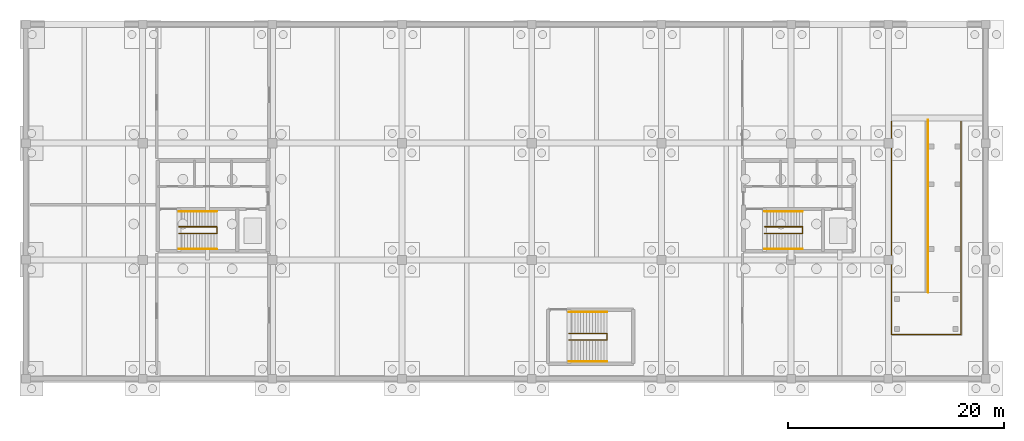
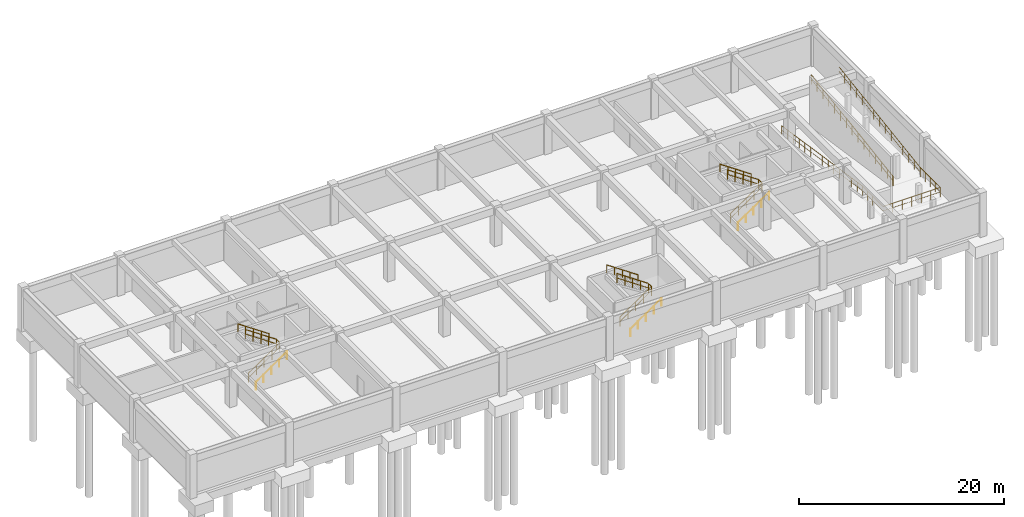
# One storey, part 7 of 8: 11 railings.
"""IFC4 building model written with IfcOpenShell, lengths in metres."""

from ifc_helpers import new_model, si_unit, derived_unit, direction, frame, origin, origin_2d, place, context, subcontext, project, spatial, circle, extrude, material, type_object, element, save


model = new_model("IFC4")

# Units and contexts
model_context = context("Model", 3, precision=1e-05, world=origin(), true_north=direction((0.0, 1.0)))
body_context = subcontext(model_context, "Body", "Model", "MODEL_VIEW")
ifc_project = project(units=[si_unit("LENGTHUNIT", "METRE"), si_unit("AREAUNIT", "SQUARE_METRE"), si_unit("VOLUMEUNIT", "CUBIC_METRE"), si_unit("PLANEANGLEUNIT", "RADIAN"), si_unit("MASSUNIT", "GRAM", prefix="KILO"), derived_unit("THERMALTRANSMITTANCEUNIT", [(si_unit("POWERUNIT", "WATT"), 1), (si_unit("LENGTHUNIT", "METRE"), -2), (si_unit("THERMODYNAMICTEMPERATUREUNIT", "KELVIN"), -1)])], contexts=[model_context])

# Site, building, storey
site_placement = place(None, origin())
site = spatial("IfcSite", under=ifc_project, at=site_placement, CompositionType="ELEMENT")
building_placement = place(site_placement, origin())
building = spatial("IfcBuilding", under=site, at=building_placement, Name="Almenara Railside Exhibition Hall", CompositionType="ELEMENT")
storey_placement = place(building_placement, frame((0.0, 0.0, -4.800048828125)))
storey = spatial("IfcBuildingStorey", under=building, at=storey_placement, Name="B1", CompositionType="ELEMENT", Elevation=-4.800048828125)

# Railings
ifc_material_1 = material(Name="Bronze-finished tubular steel handrail", Category="steel")
railing_type_1 = type_object("IfcRailingType", Name="Stair Pitch Handrail 920mm", PredefinedType="HANDRAIL", material=ifc_material_1)
railing_1_placement = place(storey_placement, frame((129.35009765625, 12.0, 0.0)))
element("IfcRailing", 1, at=railing_1_placement, inside=storey, type_object=railing_type_1, Name="HR-B1-0029", PredefinedType="HANDRAIL", context=body_context, shape_type="SweptSolid", body=[
    extrude(circle(Radius=0.02392578125, at=origin_2d()), frame((0.0, 0.0, 0.89599609375), z_axis=(0.825464959624, 0.0, 0.564453364267), x_axis=(0.0, 1.0, 0.0)), (0.0, 0.0, 1.0), 4.252197265625),
    extrude(circle(Radius=0.02099609375, at=origin_2d()), origin(), (0.0, 0.0, 1.0), 0.871826171875),
    extrude(circle(Radius=0.02099609375, at=origin_2d()), frame((0.87744140625, 0.0, 0.60009765625)), (0.0, 0.0, 1.0), 0.871826171875),
    extrude(circle(Radius=0.02099609375, at=origin_2d()), frame((1.7548828125, 0.0, 1.2001953125)), (0.0, 0.0, 1.0), 0.871826171875),
    extrude(circle(Radius=0.02099609375, at=origin_2d()), frame((2.632568359375, 0.0, 1.800048828125)), (0.0, 0.0, 1.0), 0.871826171875),
    extrude(circle(Radius=0.02099609375, at=origin_2d()), frame((3.510009765625, 0.0, 2.400146484375)), (0.0, 0.0, 1.0), 0.871826171875),
])
railing_2_placement = place(storey_placement, frame((132.860107421875, 15.5, 2.400146484375)))
element("IfcRailing", 2, at=railing_2_placement, inside=storey, type_object=railing_type_1, Name="HR-B1-0030", PredefinedType="HANDRAIL", context=body_context, shape_type="SweptSolid", body=[
    extrude(circle(Radius=0.02392578125, at=origin_2d()), frame((0.0, 0.0, 0.89599609375), z_axis=(-0.825491711615, 0.0, 0.56441423977), x_axis=(0.0, -1.0, 0.0)), (0.0, 0.0, 1.0), 4.251953125),
    extrude(circle(Radius=0.02099609375, at=origin_2d()), origin(), (0.0, 0.0, 1.0), 0.871826171875),
    extrude(circle(Radius=0.02099609375, at=origin_2d()), frame((-0.87744140625, 0.0, 0.60009765625)), (0.0, 0.0, 1.0), 0.871826171875),
    extrude(circle(Radius=0.02099609375, at=origin_2d()), frame((-1.7548828125, 0.0, 1.199951171875)), (0.0, 0.0, 1.0), 0.871826171875),
    extrude(circle(Radius=0.02099609375, at=origin_2d()), frame((-2.632568359375, 0.0, 1.7998046875)), (0.0, 0.0, 1.0), 0.871826171875),
    extrude(circle(Radius=0.02099609375, at=origin_2d()), frame((-3.510009765625, 0.0, 2.39990234375)), (0.0, 0.0, 1.0), 0.871826171875),
])
railing_3_placement = place(storey_placement, frame((183.550048828125, 12.0, 0.0)))
element("IfcRailing", 3, at=railing_3_placement, inside=storey, type_object=railing_type_1, Name="HR-B1-0045", PredefinedType="HANDRAIL", context=body_context, shape_type="SweptSolid", body=[
    extrude(circle(Radius=0.02392578125, at=origin_2d()), frame((0.0, 0.0, 0.89599609375), z_axis=(0.825464959624, 0.0, 0.564453364267), x_axis=(0.0, 1.0, 0.0)), (0.0, 0.0, 1.0), 4.252197265625),
    extrude(circle(Radius=0.02099609375, at=origin_2d()), origin(), (0.0, 0.0, 1.0), 0.871826171875),
    extrude(circle(Radius=0.02099609375, at=origin_2d()), frame((0.87744140625, 0.0, 0.60009765625)), (0.0, 0.0, 1.0), 0.871826171875),
    extrude(circle(Radius=0.02099609375, at=origin_2d()), frame((1.7548828125, 0.0, 1.2001953125)), (0.0, 0.0, 1.0), 0.871826171875),
    extrude(circle(Radius=0.02099609375, at=origin_2d()), frame((2.632568359375, 0.0, 1.800048828125)), (0.0, 0.0, 1.0), 0.871826171875),
    extrude(circle(Radius=0.02099609375, at=origin_2d()), frame((3.510009765625, 0.0, 2.400146484375)), (0.0, 0.0, 1.0), 0.871826171875),
])
railing_4_placement = place(storey_placement, frame((187.06005859375, 15.5, 2.400146484375)))
element("IfcRailing", 4, at=railing_4_placement, inside=storey, type_object=railing_type_1, Name="HR-B1-0046", PredefinedType="HANDRAIL", context=body_context, shape_type="SweptSolid", body=[
    extrude(circle(Radius=0.02392578125, at=origin_2d()), frame((0.0, 0.0, 0.89599609375), z_axis=(-0.825491711615, 0.0, 0.56441423977), x_axis=(0.0, -1.0, 0.0)), (0.0, 0.0, 1.0), 4.251953125),
    extrude(circle(Radius=0.02099609375, at=origin_2d()), origin(), (0.0, 0.0, 1.0), 0.871826171875),
    extrude(circle(Radius=0.02099609375, at=origin_2d()), frame((-0.87744140625, 0.0, 0.60009765625)), (0.0, 0.0, 1.0), 0.871826171875),
    extrude(circle(Radius=0.02099609375, at=origin_2d()), frame((-1.7548828125, 0.0, 1.199951171875)), (0.0, 0.0, 1.0), 0.871826171875),
    extrude(circle(Radius=0.02099609375, at=origin_2d()), frame((-2.632568359375, 0.0, 1.7998046875)), (0.0, 0.0, 1.0), 0.871826171875),
    extrude(circle(Radius=0.02099609375, at=origin_2d()), frame((-3.510009765625, 0.0, 2.39990234375)), (0.0, 0.0, 1.0), 0.871826171875),
])
railing_5_placement = place(storey_placement, frame((165.449951171875, 1.60009765625, 0.0)))
element("IfcRailing", 5, at=railing_5_placement, inside=storey, type_object=railing_type_1, Name="HR-B1-0109", PredefinedType="HANDRAIL", context=body_context, shape_type="SweptSolid", body=[
    extrude(circle(Radius=0.02392578125, at=origin_2d()), frame((0.0, 0.0, 0.89599609375), z_axis=(0.825464959624, 0.0, 0.564453364267), x_axis=(0.0, 1.0, 0.0)), (0.0, 0.0, 1.0), 4.252197265625),
    extrude(circle(Radius=0.02099609375, at=origin_2d()), origin(), (0.0, 0.0, 1.0), 0.871826171875),
    extrude(circle(Radius=0.02099609375, at=origin_2d()), frame((0.87744140625, 0.0, 0.60009765625)), (0.0, 0.0, 1.0), 0.871826171875),
    extrude(circle(Radius=0.02099609375, at=origin_2d()), frame((1.7548828125, 0.0, 1.2001953125)), (0.0, 0.0, 1.0), 0.871826171875),
    extrude(circle(Radius=0.02099609375, at=origin_2d()), frame((2.632568359375, 0.0, 1.800048828125)), (0.0, 0.0, 1.0), 0.871826171875),
    extrude(circle(Radius=0.02099609375, at=origin_2d()), frame((3.510009765625, 0.0, 2.400146484375)), (0.0, 0.0, 1.0), 0.871826171875),
])
railing_6_placement = place(storey_placement, frame((168.9599609375, 6.199951171875, 2.400146484375)))
element("IfcRailing", 6, at=railing_6_placement, inside=storey, type_object=railing_type_1, Name="HR-B1-0110", PredefinedType="HANDRAIL", context=body_context, shape_type="SweptSolid", body=[
    extrude(circle(Radius=0.02392578125, at=origin_2d()), frame((0.0, 0.0, 0.89599609375), z_axis=(-0.825491711615, 0.0, 0.56441423977), x_axis=(0.0, -1.0, 0.0)), (0.0, 0.0, 1.0), 4.251953125),
    extrude(circle(Radius=0.02099609375, at=origin_2d()), origin(), (0.0, 0.0, 1.0), 0.871826171875),
    extrude(circle(Radius=0.02099609375, at=origin_2d()), frame((-0.87744140625, 0.0, 0.60009765625)), (0.0, 0.0, 1.0), 0.871826171875),
    extrude(circle(Radius=0.02099609375, at=origin_2d()), frame((-1.7548828125, 0.0, 1.199951171875)), (0.0, 0.0, 1.0), 0.871826171875),
    extrude(circle(Radius=0.02099609375, at=origin_2d()), frame((-2.632568359375, 0.0, 1.7998046875)), (0.0, 0.0, 1.0), 0.871826171875),
    extrude(circle(Radius=0.02099609375, at=origin_2d()), frame((-3.510009765625, 0.0, 2.39990234375)), (0.0, 0.0, 1.0), 0.871826171875),
])
ifc_material_2 = material(Name="Dark wrought-iron stair balustrade")
railing_type_2 = type_object("IfcRailingType", Name="Stair Well Guard Rail 1120mm", PredefinedType="BALUSTRADE", material=ifc_material_2)
railing_7_placement = place(storey_placement, frame((129.35009765625, 13.429931640625, 0.0)))
element("IfcRailing", 7, at=railing_7_placement, inside=storey, type_object=railing_type_2, Name="SG-B1-0031", PredefinedType="BALUSTRADE", context=body_context, shape_type="SweptSolid", body=[
    extrude(circle(Radius=0.02392578125, at=origin_2d()), frame((0.0, 0.0, 1.09619140625), z_axis=(0.825464959624, 0.0, 0.564453364267), x_axis=(0.0, 1.0, 0.0)), (0.0, 0.0, 1.0), 4.252197265625),
    extrude(circle(Radius=0.01416015625, at=origin_2d()), frame((0.0, 0.0, 0.56005859375), z_axis=(0.825464959624, 0.0, 0.564453364267), x_axis=(0.0, 1.0, 0.0)), (0.0, 0.0, 1.0), 4.252197265625),
    extrude(circle(Radius=0.02392578125, at=origin_2d()), frame((3.510009765625, 0.0, 3.49609375), z_axis=(0.0, 1.0, 0.0), x_axis=(-1.0, 0.0, 0.0)), (0.0, 0.0, 1.0), 0.64013671875),
    extrude(circle(Radius=0.01416015625, at=origin_2d()), frame((3.510009765625, 0.0, 2.960205078125), z_axis=(0.0, 1.0, 0.0), x_axis=(-1.0, 0.0, 0.0)), (0.0, 0.0, 1.0), 0.64013671875),
    extrude(circle(Radius=0.02392578125, at=origin_2d()), frame((3.510009765625, 0.64013671875, 3.49609375), z_axis=(-0.825491711615, 0.0, 0.56441423977), x_axis=(0.0, -1.0, 0.0)), (0.0, 0.0, 1.0), 4.251953125),
    extrude(circle(Radius=0.01416015625, at=origin_2d()), frame((3.510009765625, 0.64013671875, 2.960205078125), z_axis=(-0.825491711615, 0.0, 0.56441423977), x_axis=(0.0, -1.0, 0.0)), (0.0, 0.0, 1.0), 4.251953125),
    extrude(circle(Radius=0.02099609375, at=origin_2d()), origin(), (0.0, 0.0, 1.0), 1.072021484375),
    extrude(circle(Radius=0.02099609375, at=origin_2d()), frame((0.87744140625, 0.0, 0.60009765625)), (0.0, 0.0, 1.0), 1.072021484375),
    extrude(circle(Radius=0.02099609375, at=origin_2d()), frame((1.7548828125, 0.0, 1.2001953125)), (0.0, 0.0, 1.0), 1.072021484375),
    extrude(circle(Radius=0.02099609375, at=origin_2d()), frame((2.632568359375, 0.0, 1.800048828125)), (0.0, 0.0, 1.0), 1.072021484375),
    extrude(circle(Radius=0.02099609375, at=origin_2d()), frame((3.510009765625, 0.0, 2.400146484375)), (0.0, 0.0, 1.0), 1.072021484375),
    extrude(circle(Radius=0.02099609375, at=origin_2d()), frame((3.510009765625, 0.64013671875, 2.400146484375)), (0.0, 0.0, 1.0), 1.072021484375),
    extrude(circle(Radius=0.02099609375, at=origin_2d()), frame((2.632568359375, 0.64013671875, 3.0)), (0.0, 0.0, 1.0), 1.072021484375),
    extrude(circle(Radius=0.02099609375, at=origin_2d()), frame((1.7548828125, 0.64013671875, 3.60009765625)), (0.0, 0.0, 1.0), 1.072021484375),
    extrude(circle(Radius=0.02099609375, at=origin_2d()), frame((0.87744140625, 0.64013671875, 4.2001953125)), (0.0, 0.0, 1.0), 1.072021484375),
    extrude(circle(Radius=0.02099609375, at=origin_2d()), frame((0.0, 0.64013671875, 4.800048828125)), (0.0, 0.0, 1.0), 1.072021484375),
])
railing_8_placement = place(storey_placement, frame((183.550048828125, 13.429931640625, 0.0)))
element("IfcRailing", 8, at=railing_8_placement, inside=storey, type_object=railing_type_2, Name="SG-B1-0047", PredefinedType="BALUSTRADE", context=body_context, shape_type="SweptSolid", body=[
    extrude(circle(Radius=0.02392578125, at=origin_2d()), frame((0.0, 0.0, 1.09619140625), z_axis=(0.825464959624, 0.0, 0.564453364267), x_axis=(0.0, 1.0, 0.0)), (0.0, 0.0, 1.0), 4.252197265625),
    extrude(circle(Radius=0.01416015625, at=origin_2d()), frame((0.0, 0.0, 0.56005859375), z_axis=(0.825464959624, 0.0, 0.564453364267), x_axis=(0.0, 1.0, 0.0)), (0.0, 0.0, 1.0), 4.252197265625),
    extrude(circle(Radius=0.02392578125, at=origin_2d()), frame((3.510009765625, 0.0, 3.49609375), z_axis=(0.0, 1.0, 0.0), x_axis=(-1.0, 0.0, 0.0)), (0.0, 0.0, 1.0), 0.64013671875),
    extrude(circle(Radius=0.01416015625, at=origin_2d()), frame((3.510009765625, 0.0, 2.960205078125), z_axis=(0.0, 1.0, 0.0), x_axis=(-1.0, 0.0, 0.0)), (0.0, 0.0, 1.0), 0.64013671875),
    extrude(circle(Radius=0.02392578125, at=origin_2d()), frame((3.510009765625, 0.64013671875, 3.49609375), z_axis=(-0.825491711615, 0.0, 0.56441423977), x_axis=(0.0, -1.0, 0.0)), (0.0, 0.0, 1.0), 4.251953125),
    extrude(circle(Radius=0.01416015625, at=origin_2d()), frame((3.510009765625, 0.64013671875, 2.960205078125), z_axis=(-0.825491711615, 0.0, 0.56441423977), x_axis=(0.0, -1.0, 0.0)), (0.0, 0.0, 1.0), 4.251953125),
    extrude(circle(Radius=0.02099609375, at=origin_2d()), origin(), (0.0, 0.0, 1.0), 1.072021484375),
    extrude(circle(Radius=0.02099609375, at=origin_2d()), frame((0.87744140625, 0.0, 0.60009765625)), (0.0, 0.0, 1.0), 1.072021484375),
    extrude(circle(Radius=0.02099609375, at=origin_2d()), frame((1.7548828125, 0.0, 1.2001953125)), (0.0, 0.0, 1.0), 1.072021484375),
    extrude(circle(Radius=0.02099609375, at=origin_2d()), frame((2.632568359375, 0.0, 1.800048828125)), (0.0, 0.0, 1.0), 1.072021484375),
    extrude(circle(Radius=0.02099609375, at=origin_2d()), frame((3.510009765625, 0.0, 2.400146484375)), (0.0, 0.0, 1.0), 1.072021484375),
    extrude(circle(Radius=0.02099609375, at=origin_2d()), frame((3.510009765625, 0.64013671875, 2.400146484375)), (0.0, 0.0, 1.0), 1.072021484375),
    extrude(circle(Radius=0.02099609375, at=origin_2d()), frame((2.632568359375, 0.64013671875, 3.0)), (0.0, 0.0, 1.0), 1.072021484375),
    extrude(circle(Radius=0.02099609375, at=origin_2d()), frame((1.7548828125, 0.64013671875, 3.60009765625)), (0.0, 0.0, 1.0), 1.072021484375),
    extrude(circle(Radius=0.02099609375, at=origin_2d()), frame((0.87744140625, 0.64013671875, 4.2001953125)), (0.0, 0.0, 1.0), 1.072021484375),
    extrude(circle(Radius=0.02099609375, at=origin_2d()), frame((0.0, 0.64013671875, 4.800048828125)), (0.0, 0.0, 1.0), 1.072021484375),
])
railing_9_placement = place(storey_placement, frame((165.449951171875, 3.610107421875, 0.0)))
element("IfcRailing", 9, at=railing_9_placement, inside=storey, type_object=railing_type_2, Name="SG-B1-0111", PredefinedType="BALUSTRADE", context=body_context, shape_type="SweptSolid", body=[
    extrude(circle(Radius=0.02392578125, at=origin_2d()), frame((0.0, 0.0, 1.09619140625), z_axis=(0.825464959624, 0.0, 0.564453364267), x_axis=(0.0, 1.0, 0.0)), (0.0, 0.0, 1.0), 4.252197265625),
    extrude(circle(Radius=0.01416015625, at=origin_2d()), frame((0.0, 0.0, 0.56005859375), z_axis=(0.825464959624, 0.0, 0.564453364267), x_axis=(0.0, 1.0, 0.0)), (0.0, 0.0, 1.0), 4.252197265625),
    extrude(circle(Radius=0.02392578125, at=origin_2d()), frame((3.510009765625, 0.0, 3.49609375), z_axis=(0.0, 1.0, 0.0), x_axis=(-1.0, 0.0, 0.0)), (0.0, 0.0, 1.0), 0.579833984375),
    extrude(circle(Radius=0.01416015625, at=origin_2d()), frame((3.510009765625, 0.0, 2.960205078125), z_axis=(0.0, 1.0, 0.0), x_axis=(-1.0, 0.0, 0.0)), (0.0, 0.0, 1.0), 0.579833984375),
    extrude(circle(Radius=0.02392578125, at=origin_2d()), frame((3.510009765625, 0.579833984375, 3.49609375), z_axis=(-0.825491711615, 0.0, 0.56441423977), x_axis=(0.0, -1.0, 0.0)), (0.0, 0.0, 1.0), 4.251953125),
    extrude(circle(Radius=0.01416015625, at=origin_2d()), frame((3.510009765625, 0.579833984375, 2.960205078125), z_axis=(-0.825491711615, 0.0, 0.56441423977), x_axis=(0.0, -1.0, 0.0)), (0.0, 0.0, 1.0), 4.251953125),
    extrude(circle(Radius=0.02099609375, at=origin_2d()), origin(), (0.0, 0.0, 1.0), 1.072021484375),
    extrude(circle(Radius=0.02099609375, at=origin_2d()), frame((0.87744140625, 0.0, 0.60009765625)), (0.0, 0.0, 1.0), 1.072021484375),
    extrude(circle(Radius=0.02099609375, at=origin_2d()), frame((1.7548828125, 0.0, 1.2001953125)), (0.0, 0.0, 1.0), 1.072021484375),
    extrude(circle(Radius=0.02099609375, at=origin_2d()), frame((2.632568359375, 0.0, 1.800048828125)), (0.0, 0.0, 1.0), 1.072021484375),
    extrude(circle(Radius=0.02099609375, at=origin_2d()), frame((3.510009765625, 0.0, 2.400146484375)), (0.0, 0.0, 1.0), 1.072021484375),
    extrude(circle(Radius=0.02099609375, at=origin_2d()), frame((3.510009765625, 0.579833984375, 2.400146484375)), (0.0, 0.0, 1.0), 1.072021484375),
    extrude(circle(Radius=0.02099609375, at=origin_2d()), frame((2.632568359375, 0.579833984375, 3.0)), (0.0, 0.0, 1.0), 1.072021484375),
    extrude(circle(Radius=0.02099609375, at=origin_2d()), frame((1.7548828125, 0.579833984375, 3.60009765625)), (0.0, 0.0, 1.0), 1.072021484375),
    extrude(circle(Radius=0.02099609375, at=origin_2d()), frame((0.87744140625, 0.579833984375, 4.2001953125)), (0.0, 0.0, 1.0), 1.072021484375),
    extrude(circle(Radius=0.02099609375, at=origin_2d()), frame((0.0, 0.579833984375, 4.800048828125)), (0.0, 0.0, 1.0), 1.072021484375),
])
ifc_material_3 = material(Name="Dark wrought-iron architectural balustrade")
railing_type_3 = type_object("IfcRailingType", Name="Wrought-Iron Rejas Terrace Balustrade 1120mm", PredefinedType="BALUSTRADE", material=ifc_material_3)
railing_10_placement = place(storey_placement, frame((195.280029296875, 23.800048828125, 0.030029296875)))
element("IfcRailing", 10, at=railing_10_placement, inside=storey, type_object=railing_type_3, Name="Guard balustrade 0013", PredefinedType="BALUSTRADE", context=body_context, shape_type="SweptSolid", body=[
    extrude(circle(Radius=0.02392578125, at=origin_2d()), frame((0.0, 0.0, 1.09619140625), z_axis=(0.0, -0.98893534408, 0.148347178026), x_axis=(1.0, 0.0, 0.0)), (0.0, 0.0, 1.0), 15.976806640625),
    extrude(circle(Radius=0.01416015625, at=origin_2d()), frame((0.0, 0.0, 0.56005859375), z_axis=(0.0, -0.98893534408, 0.148347178026), x_axis=(1.0, 0.0, 0.0)), (0.0, 0.0, 1.0), 15.976806640625),
    extrude(circle(Radius=0.02392578125, at=origin_2d()), frame((0.0, -15.800048828125, 3.46630859375), z_axis=(0.0, -1.0, 0.0), x_axis=(1.0, 0.0, 0.0)), (0.0, 0.0, 1.0), 3.919921875),
    extrude(circle(Radius=0.01416015625, at=origin_2d()), frame((0.0, -15.800048828125, 2.93017578125), z_axis=(0.0, -1.0, 0.0), x_axis=(1.0, 0.0, 0.0)), (0.0, 0.0, 1.0), 3.919921875),
    extrude(circle(Radius=0.02392578125, at=origin_2d()), frame((0.0, -19.719970703125, 3.46630859375), z_axis=(1.0, 0.0, 0.0), x_axis=(0.0, 1.0, 0.0)), (0.0, 0.0, 1.0), 6.43994140625),
    extrude(circle(Radius=0.01416015625, at=origin_2d()), frame((0.0, -19.719970703125, 2.93017578125), z_axis=(1.0, 0.0, 0.0), x_axis=(0.0, 1.0, 0.0)), (0.0, 0.0, 1.0), 6.43994140625),
    extrude(circle(Radius=0.02392578125, at=origin_2d()), frame((6.43994140625, -19.719970703125, 3.46630859375), z_axis=(0.0, 1.0, 0.0), x_axis=(-1.0, 0.0, 0.0)), (0.0, 0.0, 1.0), 3.919921875),
    extrude(circle(Radius=0.01416015625, at=origin_2d()), frame((6.43994140625, -19.719970703125, 2.93017578125), z_axis=(0.0, 1.0, 0.0), x_axis=(-1.0, 0.0, 0.0)), (0.0, 0.0, 1.0), 3.919921875),
    extrude(circle(Radius=0.02392578125, at=origin_2d()), frame((6.43994140625, -15.800048828125, 3.46630859375), z_axis=(0.0, 0.988937585772, 0.14833223334), x_axis=(-1.0, 0.0, 0.0)), (0.0, 0.0, 1.0), 15.976806640625),
    extrude(circle(Radius=0.01416015625, at=origin_2d()), frame((6.43994140625, -15.800048828125, 2.93017578125), z_axis=(0.0, 0.988937585772, 0.14833223334), x_axis=(-1.0, 0.0, 0.0)), (0.0, 0.0, 1.0), 15.976806640625),
    extrude(circle(Radius=0.02099609375, at=origin_2d()), origin(), (0.0, 0.0, 1.0), 1.072021484375),
    extrude(circle(Radius=0.02099609375, at=origin_2d()), frame((0.0, -1.128662109375, 0.169189453125)), (0.0, 0.0, 1.0), 1.072021484375),
    extrude(circle(Radius=0.02099609375, at=origin_2d()), frame((0.0, -2.257080078125, 0.338623046875)), (0.0, 0.0, 1.0), 1.072021484375),
    extrude(circle(Radius=0.02099609375, at=origin_2d()), frame((0.0, -3.3857421875, 0.5078125)), (0.0, 0.0, 1.0), 1.072021484375),
    extrude(circle(Radius=0.02099609375, at=origin_2d()), frame((0.0, -4.514404296875, 0.67724609375)), (0.0, 0.0, 1.0), 1.072021484375),
    extrude(circle(Radius=0.02099609375, at=origin_2d()), frame((0.0, -5.642822265625, 0.846435546875)), (0.0, 0.0, 1.0), 1.072021484375),
    extrude(circle(Radius=0.02099609375, at=origin_2d()), frame((0.0, -6.771484375, 1.015869140625)), (0.0, 0.0, 1.0), 1.072021484375),
    extrude(circle(Radius=0.02099609375, at=origin_2d()), frame((0.0, -7.89990234375, 1.18505859375)), (0.0, 0.0, 1.0), 1.072021484375),
    extrude(circle(Radius=0.02099609375, at=origin_2d()), frame((0.0, -9.028564453125, 1.354248046875)), (0.0, 0.0, 1.0), 1.072021484375),
    extrude(circle(Radius=0.02099609375, at=origin_2d()), frame((0.0, -10.1572265625, 1.523681640625)), (0.0, 0.0, 1.0), 1.072021484375),
    extrude(circle(Radius=0.02099609375, at=origin_2d()), frame((0.0, -11.28564453125, 1.69287109375)), (0.0, 0.0, 1.0), 1.072021484375),
    extrude(circle(Radius=0.02099609375, at=origin_2d()), frame((0.0, -12.414306640625, 1.8623046875)), (0.0, 0.0, 1.0), 1.072021484375),
    extrude(circle(Radius=0.02099609375, at=origin_2d()), frame((0.0, -13.54296875, 2.031494140625)), (0.0, 0.0, 1.0), 1.072021484375),
    extrude(circle(Radius=0.02099609375, at=origin_2d()), frame((0.0, -14.67138671875, 2.200927734375)), (0.0, 0.0, 1.0), 1.072021484375),
    extrude(circle(Radius=0.02099609375, at=origin_2d()), frame((0.0, -15.800048828125, 2.3701171875)), (0.0, 0.0, 1.0), 1.072021484375),
    extrude(circle(Radius=0.02099609375, at=origin_2d()), frame((0.0, -16.780029296875, 2.3701171875)), (0.0, 0.0, 1.0), 1.072021484375),
    extrude(circle(Radius=0.02099609375, at=origin_2d()), frame((0.0, -17.760009765625, 2.3701171875)), (0.0, 0.0, 1.0), 1.072021484375),
    extrude(circle(Radius=0.02099609375, at=origin_2d()), frame((0.0, -18.739990234375, 2.3701171875)), (0.0, 0.0, 1.0), 1.072021484375),
    extrude(circle(Radius=0.02099609375, at=origin_2d()), frame((0.0, -19.719970703125, 2.3701171875)), (0.0, 0.0, 1.0), 1.072021484375),
    extrude(circle(Radius=0.02099609375, at=origin_2d()), frame((1.0732421875, -19.719970703125, 2.3701171875)), (0.0, 0.0, 1.0), 1.072021484375),
    extrude(circle(Radius=0.02099609375, at=origin_2d()), frame((2.146728515625, -19.719970703125, 2.3701171875)), (0.0, 0.0, 1.0), 1.072021484375),
    extrude(circle(Radius=0.02099609375, at=origin_2d()), frame((3.219970703125, -19.719970703125, 2.3701171875)), (0.0, 0.0, 1.0), 1.072021484375),
    extrude(circle(Radius=0.02099609375, at=origin_2d()), frame((4.293212890625, -19.719970703125, 2.3701171875)), (0.0, 0.0, 1.0), 1.072021484375),
    extrude(circle(Radius=0.02099609375, at=origin_2d()), frame((5.36669921875, -19.719970703125, 2.3701171875)), (0.0, 0.0, 1.0), 1.072021484375),
    extrude(circle(Radius=0.02099609375, at=origin_2d()), frame((6.43994140625, -19.719970703125, 2.3701171875)), (0.0, 0.0, 1.0), 1.072021484375),
    extrude(circle(Radius=0.02099609375, at=origin_2d()), frame((6.43994140625, -18.739990234375, 2.3701171875)), (0.0, 0.0, 1.0), 1.072021484375),
    extrude(circle(Radius=0.02099609375, at=origin_2d()), frame((6.43994140625, -17.760009765625, 2.3701171875)), (0.0, 0.0, 1.0), 1.072021484375),
    extrude(circle(Radius=0.02099609375, at=origin_2d()), frame((6.43994140625, -16.780029296875, 2.3701171875)), (0.0, 0.0, 1.0), 1.072021484375),
    extrude(circle(Radius=0.02099609375, at=origin_2d()), frame((6.43994140625, -15.800048828125, 2.3701171875)), (0.0, 0.0, 1.0), 1.072021484375),
    extrude(circle(Radius=0.02099609375, at=origin_2d()), frame((6.43994140625, -14.67138671875, 2.539306640625)), (0.0, 0.0, 1.0), 1.072021484375),
    extrude(circle(Radius=0.02099609375, at=origin_2d()), frame((6.43994140625, -13.54296875, 2.708740234375)), (0.0, 0.0, 1.0), 1.072021484375),
    extrude(circle(Radius=0.02099609375, at=origin_2d()), frame((6.43994140625, -12.414306640625, 2.8779296875)), (0.0, 0.0, 1.0), 1.072021484375),
    extrude(circle(Radius=0.02099609375, at=origin_2d()), frame((6.43994140625, -11.28564453125, 3.047119140625)), (0.0, 0.0, 1.0), 1.072021484375),
    extrude(circle(Radius=0.02099609375, at=origin_2d()), frame((6.43994140625, -10.1572265625, 3.216552734375)), (0.0, 0.0, 1.0), 1.072021484375),
    extrude(circle(Radius=0.02099609375, at=origin_2d()), frame((6.43994140625, -9.028564453125, 3.3857421875)), (0.0, 0.0, 1.0), 1.072021484375),
    extrude(circle(Radius=0.02099609375, at=origin_2d()), frame((6.43994140625, -7.89990234375, 3.55517578125)), (0.0, 0.0, 1.0), 1.072021484375),
    extrude(circle(Radius=0.02099609375, at=origin_2d()), frame((6.43994140625, -6.771484375, 3.724365234375)), (0.0, 0.0, 1.0), 1.072021484375),
    extrude(circle(Radius=0.02099609375, at=origin_2d()), frame((6.43994140625, -5.642822265625, 3.8935546875)), (0.0, 0.0, 1.0), 1.072021484375),
    extrude(circle(Radius=0.02099609375, at=origin_2d()), frame((6.43994140625, -4.514404296875, 4.06298828125)), (0.0, 0.0, 1.0), 1.072021484375),
    extrude(circle(Radius=0.02099609375, at=origin_2d()), frame((6.43994140625, -3.3857421875, 4.232177734375)), (0.0, 0.0, 1.0), 1.072021484375),
    extrude(circle(Radius=0.02099609375, at=origin_2d()), frame((6.43994140625, -2.257080078125, 4.4013671875)), (0.0, 0.0, 1.0), 1.072021484375),
    extrude(circle(Radius=0.02099609375, at=origin_2d()), frame((6.43994140625, -1.128662109375, 4.57080078125)), (0.0, 0.0, 1.0), 1.072021484375),
    extrude(circle(Radius=0.02099609375, at=origin_2d()), frame((6.43994140625, 0.0, 4.739990234375)), (0.0, 0.0, 1.0), 1.072021484375),
])
railing_11_placement = place(storey_placement, frame((198.679931640625, 8.0, 2.400146484375)))
element("IfcRailing", 11, at=railing_11_placement, inside=storey, type_object=railing_type_3, Name="Guard balustrade 0014", PredefinedType="BALUSTRADE", context=body_context, shape_type="SweptSolid", body=[
    extrude(circle(Radius=0.02392578125, at=origin_2d()), frame((0.0, 0.0, 1.09619140625), z_axis=(0.0, 0.988959990617, 0.148182782265), x_axis=(-1.0, 0.0, 0.0)), (0.0, 0.0, 1.0), 16.1279296875),
    extrude(circle(Radius=0.01416015625, at=origin_2d()), frame((0.0, 0.0, 0.56005859375), z_axis=(0.0, 0.988959990617, 0.148182782265), x_axis=(-1.0, 0.0, 0.0)), (0.0, 0.0, 1.0), 16.1279296875),
    extrude(circle(Radius=0.02099609375, at=origin_2d()), origin(), (0.0, 0.0, 1.0), 1.072021484375),
    extrude(circle(Radius=0.02099609375, at=origin_2d()), frame((0.0, 1.13916015625, 0.170654296875)), (0.0, 0.0, 1.0), 1.072021484375),
    extrude(circle(Radius=0.02099609375, at=origin_2d()), frame((0.0, 2.278564453125, 0.34130859375)), (0.0, 0.0, 1.0), 1.072021484375),
    extrude(circle(Radius=0.02099609375, at=origin_2d()), frame((0.0, 3.41796875, 0.51220703125)), (0.0, 0.0, 1.0), 1.072021484375),
    extrude(circle(Radius=0.02099609375, at=origin_2d()), frame((0.0, 4.55712890625, 0.682861328125)), (0.0, 0.0, 1.0), 1.072021484375),
    extrude(circle(Radius=0.02099609375, at=origin_2d()), frame((0.0, 5.6962890625, 0.853515625)), (0.0, 0.0, 1.0), 1.072021484375),
    extrude(circle(Radius=0.02099609375, at=origin_2d()), frame((0.0, 6.835693359375, 1.024169921875)), (0.0, 0.0, 1.0), 1.072021484375),
    extrude(circle(Radius=0.02099609375, at=origin_2d()), frame((0.0, 7.97509765625, 1.19482421875)), (0.0, 0.0, 1.0), 1.072021484375),
    extrude(circle(Radius=0.02099609375, at=origin_2d()), frame((0.0, 9.1142578125, 1.36572265625)), (0.0, 0.0, 1.0), 1.072021484375),
    extrude(circle(Radius=0.02099609375, at=origin_2d()), frame((0.0, 10.25341796875, 1.536376953125)), (0.0, 0.0, 1.0), 1.072021484375),
    extrude(circle(Radius=0.02099609375, at=origin_2d()), frame((0.0, 11.392822265625, 1.70703125)), (0.0, 0.0, 1.0), 1.072021484375),
    extrude(circle(Radius=0.02099609375, at=origin_2d()), frame((0.0, 12.5322265625, 1.877685546875)), (0.0, 0.0, 1.0), 1.072021484375),
    extrude(circle(Radius=0.02099609375, at=origin_2d()), frame((0.0, 13.67138671875, 2.048583984375)), (0.0, 0.0, 1.0), 1.072021484375),
    extrude(circle(Radius=0.02099609375, at=origin_2d()), frame((0.0, 14.810546875, 2.21923828125)), (0.0, 0.0, 1.0), 1.072021484375),
    extrude(circle(Radius=0.02099609375, at=origin_2d()), frame((0.0, 15.949951171875, 2.389892578125)), (0.0, 0.0, 1.0), 1.072021484375),
])

save(model, "model.ifc")
